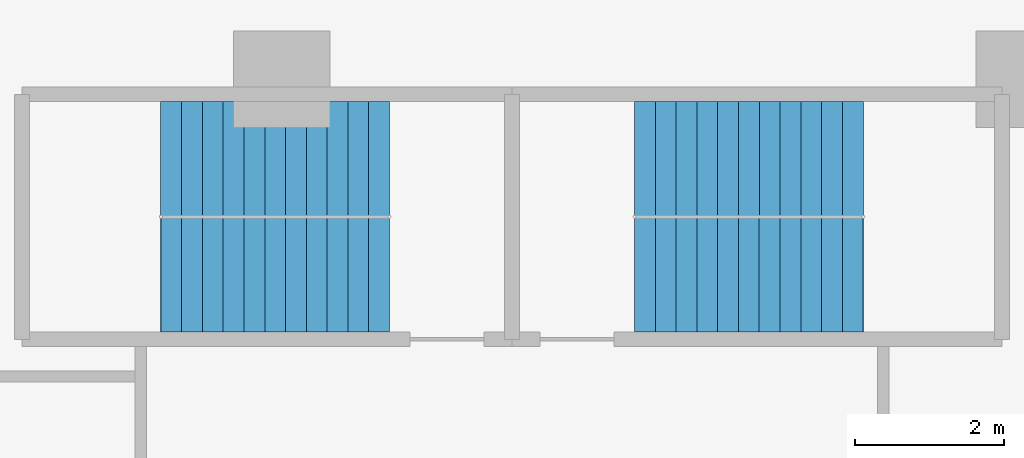
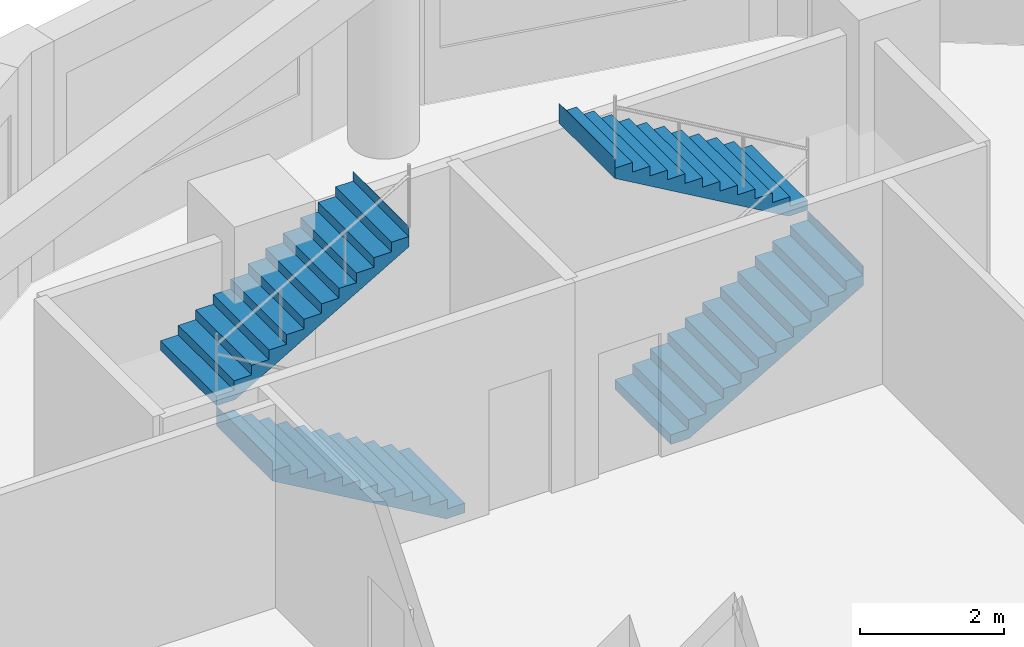
# One storey, part 7 of 9: 4 stair flights, 2 elements without a shape of their own.
"""IFC4 building model written with IfcOpenShell, lengths in metres."""

from ifc_helpers import new_model, si_unit, direction, frame, origin, place, context, subcontext, project, spatial, polyline, outline, extrude, material, type_object, element, aggregate, save


model = new_model("IFC4")

# Units and contexts
model_context = context("Model", 3, precision=1e-05, world=origin(), true_north=direction((0.0, 1.0)))
body_context = subcontext(model_context, "Body", "Model", "MODEL_VIEW")
ifc_project = project(units=[si_unit("LENGTHUNIT", "METRE"), si_unit("AREAUNIT", "SQUARE_METRE"), si_unit("VOLUMEUNIT", "CUBIC_METRE"), si_unit("PLANEANGLEUNIT", "RADIAN"), si_unit("MASSUNIT", "GRAM", prefix="KILO")], contexts=[model_context])

# Site, building, storey
site_placement = place(None, origin())
site = spatial("IfcSite", under=ifc_project, at=site_placement, CompositionType="ELEMENT")
building_placement = place(site_placement, origin())
building = spatial("IfcBuilding", under=site, at=building_placement, Name="Qaws Garden Tower", CompositionType="ELEMENT")
storey_placement = place(building_placement, frame((0.0, 0.0, 233.10009765625)))
storey = spatial("IfcBuildingStorey", under=building, at=storey_placement, Name="L57", CompositionType="ELEMENT", Elevation=233.10009765625)

# Stair, stair flights
ifc_material_1 = material(Name="Concrete C40", Category="concrete")
stair_type = type_object("IfcStairType", Name="Exit stair 1350", PredefinedType="HALF_TURN_STAIR", material=ifc_material_1)
placement = place(storey_placement, origin())
stair_1 = element("IfcStair", 1, at=placement, inside=storey, type_object=stair_type, Name="Stair 6", PredefinedType="HALF_TURN_STAIR")
ifc_material_2 = material(Name="Concrete C40", Category="concrete")
stair_flight_type = type_object("IfcStairFlightType", Name="Stair flight 1350", PredefinedType="STRAIGHT", material=ifc_material_2)
stair_flight_1_placement = place(storey_placement, frame((11.449951171875, 67.375, 0.0), z_axis=(0.0, 0.0, 1.0), x_axis=(-1.0, 0.0, 0.0)))
stair_flight_1 = element("IfcStairFlight", 2, at=stair_flight_1_placement, type_object=stair_flight_type, Name="ST6 flight 1", NumberOfRisers=12, NumberOfTreads=11, PredefinedType="STRAIGHT", RiserHeight=0.1625, TreadLength=0.28, context=body_context, shape_type="SweptSolid", body=[
    extrude(outline(polyline([(-0.0029296875, 0.0), (-0.0029296875, 0.16259765625), (0.0, 0.16259765625), (0.280029296875, 0.16259765625), (0.280029296875, 0.324951171875), (0.56005859375, 0.324951171875), (0.56005859375, 0.487548828125), (0.840087890625, 0.487548828125), (0.840087890625, 0.64990234375), (1.1201171875, 0.64990234375), (1.1201171875, 0.8125), (1.39990234375, 0.8125), (1.39990234375, 0.97509765625), (1.679931640625, 0.97509765625), (1.679931640625, 1.137451171875), (1.9599609375, 1.137451171875), (1.9599609375, 1.300048828125), (2.239990234375, 1.300048828125), (2.239990234375, 1.46240234375), (2.52001953125, 1.46240234375), (2.52001953125, 1.625), (2.800048828125, 1.625), (2.800048828125, 1.78759765625), (3.080078125, 1.78759765625), (3.080078125, 1.949951171875), (3.0830078125, 1.949951171875), (3.0830078125, 1.6142578125), (3.080078125, 1.6142578125), (0.298583984375, 0.0), (-0.0029296875, 0.0)])), frame((0.0, 0.77490234375, 0.0), z_axis=(0.0, -1.0, 0.0), x_axis=(1.0, 0.0, 0.0)), (0.0, 0.0, 1.0), 1.550048828125),
])
stair_flight_2_placement = place(storey_placement, frame((8.3701171875, 68.925048828125, 1.949951171875), z_axis=(0.0, 0.0, 1.0), x_axis=(1.0, 0.0, 0.0)))
stair_flight_2 = element("IfcStairFlight", 3, at=stair_flight_2_placement, type_object=stair_flight_type, Name="ST6 flight 2", NumberOfRisers=12, NumberOfTreads=11, PredefinedType="STRAIGHT", RiserHeight=0.1625, TreadLength=0.28, context=body_context, shape_type="SweptSolid", body=[
    extrude(outline(polyline([(-0.0029296875, 0.0), (-0.0029296875, 0.16259765625), (0.0, 0.16259765625), (0.280029296875, 0.16259765625), (0.280029296875, 0.324951171875), (0.56005859375, 0.324951171875), (0.56005859375, 0.487548828125), (0.840087890625, 0.487548828125), (0.840087890625, 0.64990234375), (1.1201171875, 0.64990234375), (1.1201171875, 0.8125), (1.39990234375, 0.8125), (1.39990234375, 0.97509765625), (1.679931640625, 0.97509765625), (1.679931640625, 1.137451171875), (1.9599609375, 1.137451171875), (1.9599609375, 1.300048828125), (2.239990234375, 1.300048828125), (2.239990234375, 1.46240234375), (2.52001953125, 1.46240234375), (2.52001953125, 1.625), (2.800048828125, 1.625), (2.800048828125, 1.78759765625), (3.080078125, 1.78759765625), (3.080078125, 1.949951171875), (3.0830078125, 1.949951171875), (3.0830078125, 1.6142578125), (3.080078125, 1.6142578125), (0.298583984375, 0.0), (-0.0029296875, 0.0)])), frame((0.0, 0.77490234375, 0.0), z_axis=(0.0, -1.0, 0.0), x_axis=(1.0, 0.0, 0.0)), (0.0, 0.0, 1.0), 1.550048828125),
])
aggregate(stair_1, [stair_flight_1, stair_flight_2])

stair_2 = element("IfcStair", 4, at=placement, inside=storey, type_object=stair_type, Name="Stair 7", PredefinedType="HALF_TURN_STAIR")
stair_flight_3_placement = place(storey_placement, frame((14.75, 67.375, 0.0), z_axis=(0.0, 0.0, 1.0), x_axis=(1.0, 0.0, 0.0)))
stair_flight_3 = element("IfcStairFlight", 5, at=stair_flight_3_placement, type_object=stair_flight_type, Name="ST7 flight 1", NumberOfRisers=12, NumberOfTreads=11, PredefinedType="STRAIGHT", RiserHeight=0.1625, TreadLength=0.28, context=body_context, shape_type="SweptSolid", body=[
    extrude(outline(polyline([(-0.0029296875, 0.0), (-0.0029296875, 0.16259765625), (0.0, 0.16259765625), (0.280029296875, 0.16259765625), (0.280029296875, 0.324951171875), (0.56005859375, 0.324951171875), (0.56005859375, 0.487548828125), (0.840087890625, 0.487548828125), (0.840087890625, 0.64990234375), (1.1201171875, 0.64990234375), (1.1201171875, 0.8125), (1.39990234375, 0.8125), (1.39990234375, 0.97509765625), (1.679931640625, 0.97509765625), (1.679931640625, 1.137451171875), (1.9599609375, 1.137451171875), (1.9599609375, 1.300048828125), (2.239990234375, 1.300048828125), (2.239990234375, 1.46240234375), (2.52001953125, 1.46240234375), (2.52001953125, 1.625), (2.800048828125, 1.625), (2.800048828125, 1.78759765625), (3.080078125, 1.78759765625), (3.080078125, 1.949951171875), (3.0830078125, 1.949951171875), (3.0830078125, 1.6142578125), (3.080078125, 1.6142578125), (0.298583984375, 0.0), (-0.0029296875, 0.0)])), frame((0.0, 0.77490234375, 0.0), z_axis=(0.0, -1.0, 0.0), x_axis=(1.0, 0.0, 0.0)), (0.0, 0.0, 1.0), 1.550048828125),
])
stair_flight_4_placement = place(storey_placement, frame((17.830078125, 68.925048828125, 1.949951171875), z_axis=(0.0, 0.0, 1.0), x_axis=(-1.0, 0.0, 0.0)))
stair_flight_4 = element("IfcStairFlight", 6, at=stair_flight_4_placement, type_object=stair_flight_type, Name="ST7 flight 2", NumberOfRisers=12, NumberOfTreads=11, PredefinedType="STRAIGHT", RiserHeight=0.1625, TreadLength=0.28, context=body_context, shape_type="SweptSolid", body=[
    extrude(outline(polyline([(-0.0029296875, 0.0), (-0.0029296875, 0.16259765625), (0.0, 0.16259765625), (0.280029296875, 0.16259765625), (0.280029296875, 0.324951171875), (0.56005859375, 0.324951171875), (0.56005859375, 0.487548828125), (0.840087890625, 0.487548828125), (0.840087890625, 0.64990234375), (1.1201171875, 0.64990234375), (1.1201171875, 0.8125), (1.39990234375, 0.8125), (1.39990234375, 0.97509765625), (1.679931640625, 0.97509765625), (1.679931640625, 1.137451171875), (1.9599609375, 1.137451171875), (1.9599609375, 1.300048828125), (2.239990234375, 1.300048828125), (2.239990234375, 1.46240234375), (2.52001953125, 1.46240234375), (2.52001953125, 1.625), (2.800048828125, 1.625), (2.800048828125, 1.78759765625), (3.080078125, 1.78759765625), (3.080078125, 1.949951171875), (3.0830078125, 1.949951171875), (3.0830078125, 1.6142578125), (3.080078125, 1.6142578125), (0.298583984375, 0.0), (-0.0029296875, 0.0)])), frame((0.0, 0.77490234375, 0.0), z_axis=(0.0, -1.0, 0.0), x_axis=(1.0, 0.0, 0.0)), (0.0, 0.0, 1.0), 1.550048828125),
])
aggregate(stair_2, [stair_flight_3, stair_flight_4])

save(model, "model.ifc")
